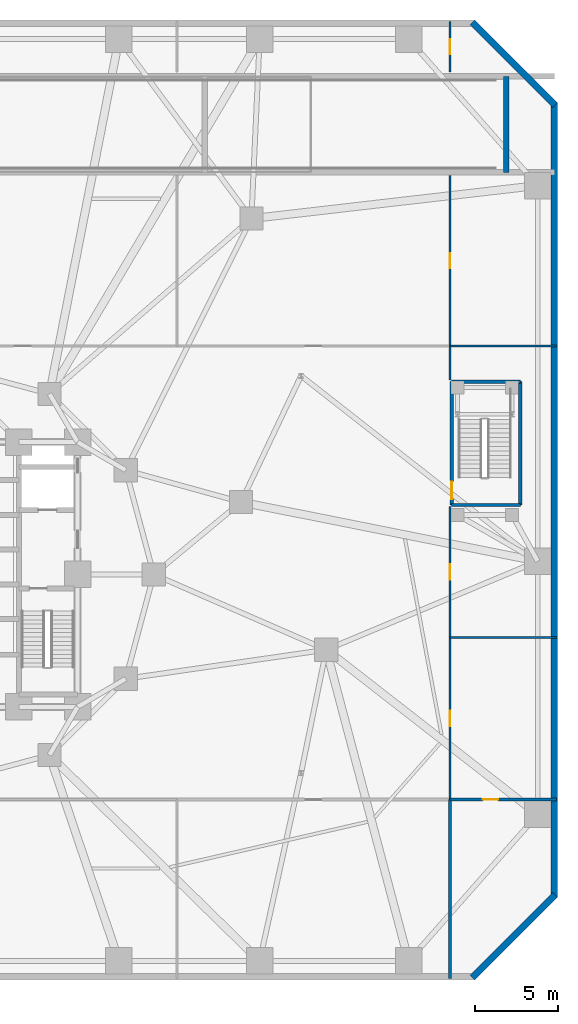
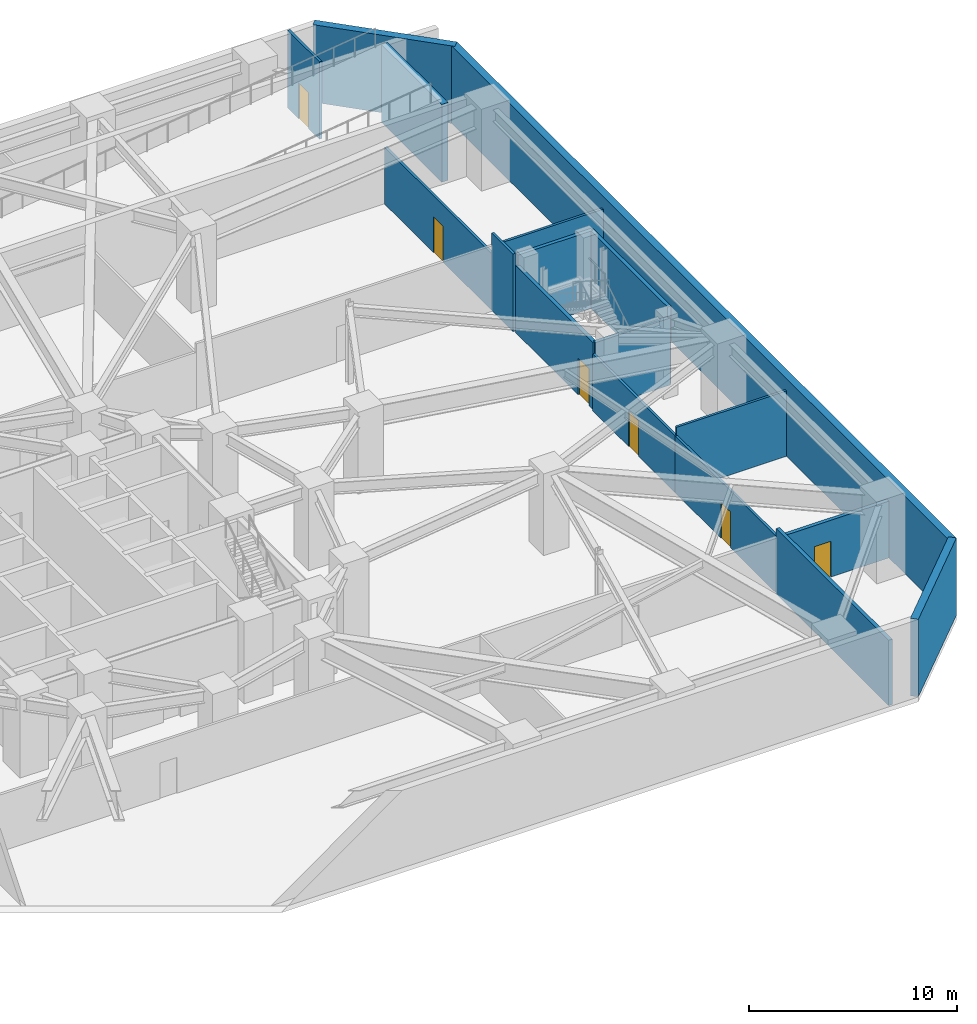
# One storey, part 14 of 18: 17 walls, 6 doors, 6 openings.
"""IFC4 building model written with IfcOpenShell, lengths in metres."""

from ifc_helpers import new_model, si_unit, direction, frame, frame_2d, origin, place, context, subcontext, project, spatial, rectangle, extrude, material, layer, layer_set, type_object, element, fill, save


model = new_model("IFC4")

# Units and contexts
model_context = context("Model", 3, precision=1e-05, world=origin(), true_north=direction((0.0, 1.0)))
body_context = subcontext(model_context, "Body", "Model", "MODEL_VIEW")
ifc_project = project(units=[si_unit("LENGTHUNIT", "METRE"), si_unit("AREAUNIT", "SQUARE_METRE"), si_unit("VOLUMEUNIT", "CUBIC_METRE"), si_unit("PLANEANGLEUNIT", "RADIAN"), si_unit("MASSUNIT", "GRAM", prefix="KILO")], contexts=[model_context])

# Site, building, storey
site_placement = place(None, origin())
site = spatial("IfcSite", under=ifc_project, at=site_placement, CompositionType="ELEMENT")
building_placement = place(site_placement, origin())
building = spatial("IfcBuilding", under=site, at=building_placement, Name="Terralouvre Media Tower", CompositionType="ELEMENT")
storey_placement = place(building_placement, frame((0.0, 0.0, -4.800048828125)))
storey = spatial("IfcBuildingStorey", under=building, at=storey_placement, Name="B01", CompositionType="ELEMENT", Elevation=-4.800048828125)

# Walls
ifc_material_1 = material(Name="Concrete C50/60", Category="concrete")
ifc_layer_1 = layer(ifc_material_1, 0.39990234375, Name="Basement Perimeter Retaining Wall EW-RC400")
ifc_layer_set_1 = layer_set([ifc_layer_1], Name="Concrete C50/60")
wall_type_1 = type_object("IfcWallType", Name="Basement Perimeter Retaining Wall EW-RC400", PredefinedType="USERDEFINED", material=ifc_layer_set_1)
wall_1_placement = place(storey_placement, frame((31.858642578125, -24.358642578125, 0.0), z_axis=(0.0, 0.0, 1.0), x_axis=(0.707106781187, 0.707106781187, 0.0)))
element("IfcWall", 1, at=wall_1_placement, inside=storey, type_object=wall_type_1, Name="B01 Perimeter Retaining Wall 02", ObjectType="RETAINING", PredefinedType="USERDEFINED", context=body_context, shape_type="SweptSolid", body=[
    extrude(rectangle(XDim=7.071044921875, YDim=0.39990234375, at=frame_2d((3.53564453125, 0.0))), origin(), (0.0, 0.0, 1.0), 4.550048828125),
])
wall_2_placement = place(storey_placement, frame((36.800048828125, -19.5, 0.0), z_axis=(0.0, 0.0, 1.0), x_axis=(0.0, 1.0, 0.0)))
element("IfcWall", 2, at=wall_2_placement, inside=storey, type_object=wall_type_1, Name="B01 Perimeter Retaining Wall 03", ObjectType="RETAINING", PredefinedType="USERDEFINED", context=body_context, shape_type="SweptSolid", body=[
    extrude(rectangle(XDim=48.0, YDim=0.39990234375, at=frame_2d((24.0, 0.0))), origin(), (0.0, 0.0, 1.0), 4.550048828125),
])
wall_3_placement = place(storey_placement, frame((36.858642578125, 28.358642578125, 0.0), z_axis=(0.0, 0.0, 1.0), x_axis=(-0.707106781187, 0.707106781187, 0.0)))
element("IfcWall", 3, at=wall_3_placement, inside=storey, type_object=wall_type_1, Name="B01 Perimeter Retaining Wall 04", ObjectType="RETAINING", PredefinedType="USERDEFINED", context=body_context, shape_type="SweptSolid", body=[
    extrude(rectangle(XDim=7.071044921875, YDim=0.39990234375, at=frame_2d((3.53564453125, 0.0))), origin(), (0.0, 0.0, 1.0), 4.550048828125),
])
ifc_material_2 = material(Name="Fire-rated gypsum board drywall partition")
ifc_layer_2 = layer(ifc_material_2, 0.199951171875, Name="Fire-Rated Shaft and Lobby Partition FW-200")
ifc_layer_set_2 = layer_set([ifc_layer_2], Name="Fire-rated gypsum board drywall partition")
wall_type_2 = type_object("IfcWallType", Name="Fire-Rated Shaft and Lobby Partition FW-200", PredefinedType="SOLIDWALL", material=ifc_layer_set_2)
wall_4_placement = place(storey_placement, frame((30.60009765625, 4.199951171875, 0.0), z_axis=(0.0, 0.0, 1.0), x_axis=(1.0, 0.0, 0.0)))
element("IfcWall", 4, at=wall_4_placement, inside=storey, type_object=wall_type_2, Name="B01 ST04 Stair Shaft Wall S", PredefinedType="SOLIDWALL", context=body_context, shape_type="SweptSolid", body=[
    extrude(rectangle(XDim=4.14990234375, YDim=0.199951171875, at=frame_2d((2.074951171875, 0.0))), origin(), (0.0, 0.0, 1.0), 3.93505859375),
])
wall_5_placement = place(storey_placement, frame((34.75, 4.199951171875, 0.0), z_axis=(0.0, 0.0, 1.0), x_axis=(0.0, 1.0, 0.0)))
element("IfcWall", 5, at=wall_5_placement, inside=storey, type_object=wall_type_2, Name="B01 ST04 Stair Shaft Wall E", PredefinedType="SOLIDWALL", context=body_context, shape_type="SweptSolid", body=[
    extrude(rectangle(XDim=7.449951171875, YDim=0.199951171875, at=frame_2d((3.72509765625, 0.0))), origin(), (0.0, 0.0, 1.0), 4.550048828125),
])
wall_6_placement = place(storey_placement, frame((34.75, 11.64990234375, 0.0), z_axis=(0.0, 0.0, 1.0), x_axis=(-1.0, 0.0, 0.0)))
element("IfcWall", 6, at=wall_6_placement, inside=storey, type_object=wall_type_2, Name="B01 ST04 Stair Shaft Wall N", PredefinedType="SOLIDWALL", context=body_context, shape_type="SweptSolid", body=[
    extrude(rectangle(XDim=4.14990234375, YDim=0.199951171875, at=frame_2d((2.074951171875, 0.0))), origin(), (0.0, 0.0, 1.0), 4.550048828125),
])

# Wall, opening, door
wall_7_placement = place(storey_placement, frame((30.60009765625, 11.64990234375, 0.0), z_axis=(0.0, 0.0, 1.0), x_axis=(0.0, -1.0, 0.0)))
wall_7 = element("IfcWall", 7, at=wall_7_placement, inside=storey, type_object=wall_type_2, Name="B01 ST04 Stair Shaft Wall W", PredefinedType="SOLIDWALL", context=body_context, shape_type="SweptSolid", body=[
    extrude(rectangle(XDim=7.449951171875, YDim=0.199951171875, at=frame_2d((3.72509765625, 0.0))), origin(), (0.0, 0.0, 1.0), 3.93505859375),
])
opening_1_placement = place(wall_7_placement, frame((6.0400390625, 0.0, 0.0)))
opening_1 = element("IfcOpeningElement", 8, at=opening_1_placement, cuts=wall_7, Name="Opening FD-01-105X215", PredefinedType="OPENING", context=body_context, shape_type="SweptSolid", body=[
    extrude(rectangle(XDim=1.050048828125, YDim=2.14990234375, at=frame_2d((0.52490234375, 1.074951171875))), frame((0.0, 0.10986328125, 0.0), z_axis=(0.0, -1.0, 0.0), x_axis=(1.0, 0.0, 0.0)), (0.0, 0.0, 1.0), 0.219970703125),
])
ifc_material_3 = material(Name="Galvanised steel fire-resisting leaf", Category="steel")
door_type_1 = type_object("IfcDoorType", Name="Stair and Firefighting Lobby Fire Door FD-01 (1050x2150)", OperationType="NOTDEFINED", PredefinedType="DOOR", material=ifc_material_3)
door_1_placement = place(opening_1_placement, origin())
door_1 = element("IfcDoor", 9, at=door_1_placement, inside=storey, type_object=door_type_1, Name="B01 ST04 Pressurised Stair Door", OperationType="SINGLE_SWING_LEFT", OverallHeight=2.14990234375, OverallWidth=1.050048828125, PredefinedType="DOOR", context=body_context, shape_type="SweptSolid", body=[
    extrude(rectangle(XDim=1.050048828125, YDim=2.14990234375, at=frame_2d((0.52490234375, 1.074951171875))), frame((0.0, 0.02490234375, 0.0), z_axis=(0.0, -1.0, 0.0), x_axis=(1.0, 0.0, 0.0)), (0.0, 0.0, 1.0), 0.050048828125),
])
fill(opening_1, door_1)

# Wall
wall_8_placement = place(storey_placement, frame((30.5, -24.419921875, 0.0), z_axis=(0.0, 0.0, 1.0), x_axis=(0.0, 1.0, 0.0)))
element("IfcWall", 10, at=wall_8_placement, inside=storey, type_object=wall_type_2, Name="B01 Interior Partition 019", PredefinedType="SOLIDWALL", context=body_context, shape_type="SweptSolid", body=[
    extrude(rectangle(XDim=10.81982421875, YDim=0.199951171875, at=frame_2d((5.409912109375, 0.0))), origin(), (0.0, 0.0, 1.0), 3.8349609375),
])

# Wall, opening, door
wall_9_placement = place(storey_placement, frame((36.919921875, -13.60009765625, 0.0), z_axis=(0.0, 0.0, 1.0), x_axis=(-1.0, 0.0, 0.0)))
wall_9 = element("IfcWall", 11, at=wall_9_placement, inside=storey, type_object=wall_type_2, Name="B01 Interior Partition 020", PredefinedType="SOLIDWALL", context=body_context, shape_type="SweptSolid", body=[
    extrude(rectangle(XDim=6.419921875, YDim=0.199951171875, at=frame_2d((3.2099609375, 0.0))), origin(), (0.0, 0.0, 1.0), 3.3349609375),
])
opening_2_placement = place(wall_9_placement, frame((3.5205078125, 0.0, 0.0)))
opening_2 = element("IfcOpeningElement", 12, at=opening_2_placement, cuts=wall_9, Name="Opening FD-05-92X210", PredefinedType="OPENING", context=body_context, shape_type="SweptSolid", body=[
    extrude(rectangle(XDim=0.919921875, YDim=2.10009765625, at=frame_2d((0.4599609375, 1.050048828125))), frame((0.0, 0.10986328125, 0.0), z_axis=(0.0, -1.0, 0.0), x_axis=(1.0, 0.0, 0.0)), (0.0, 0.0, 1.0), 0.219970703125),
])
ifc_material_4 = material(Name="Galvanised steel fire-resisting leaf", Category="steel")
door_type_2 = type_object("IfcDoorType", Name="Core Accessible Closet Fire Door FD-05 (920x2100)", OperationType="NOTDEFINED", PredefinedType="DOOR", material=ifc_material_4)
door_2_placement = place(opening_2_placement, origin())
door_2 = element("IfcDoor", 13, at=door_2_placement, inside=storey, type_object=door_type_2, Name="B01 B01 Emergency Generator Plant Room Door", OperationType="SINGLE_SWING_RIGHT", OverallHeight=2.10009765625, OverallWidth=0.919921875, PredefinedType="DOOR", context=body_context, shape_type="SweptSolid", body=[
    extrude(rectangle(XDim=0.919921875, YDim=2.10009765625, at=frame_2d((0.4599609375, 1.050048828125))), frame((0.0, 0.02490234375, 0.0), z_axis=(0.0, -1.0, 0.0), x_axis=(1.0, 0.0, 0.0)), (0.0, 0.0, 1.0), 0.050048828125),
])
fill(opening_2, door_2)

ifc_material_5 = material(Name="Fire-rated gypsum board drywall partition")
ifc_layer_3 = layer(ifc_material_5, 0.135009765625, Name="Newsroom Acoustic Partition PT-135")
ifc_layer_set_3 = layer_set([ifc_layer_3], Name="Fire-rated gypsum board drywall partition")
wall_type_3 = type_object("IfcWallType", Name="Newsroom Acoustic Partition PT-135", PredefinedType="PARTITIONING", material=ifc_layer_set_3)
wall_10_placement = place(storey_placement, frame((30.5, -13.60009765625, 0.0), z_axis=(0.0, 0.0, 1.0), x_axis=(0.0, 1.0, 0.0)))
wall_10 = element("IfcWall", 14, at=wall_10_placement, inside=storey, type_object=wall_type_3, Name="B01 Interior Partition 005", PredefinedType="PARTITIONING", context=body_context, shape_type="SweptSolid", body=[
    extrude(rectangle(XDim=9.800048828125, YDim=0.135009765625, at=frame_2d((4.89990234375, 0.0))), origin(), (0.0, 0.0, 1.0), 3.3349609375),
])
opening_3_placement = place(wall_10_placement, frame((4.425048828125, 0.0, 0.0)))
opening_3 = element("IfcOpeningElement", 15, at=opening_3_placement, cuts=wall_10, Name="Opening ID-02-95X210", PredefinedType="OPENING", context=body_context, shape_type="SweptSolid", body=[
    extrude(rectangle(XDim=0.949951171875, YDim=2.10009765625, at=frame_2d((0.47509765625, 1.050048828125))), frame((0.0, 0.077392578125, 0.0), z_axis=(0.0, -1.0, 0.0), x_axis=(1.0, 0.0, 0.0)), (0.0, 0.0, 1.0), 0.155029296875),
])
ifc_material_6 = material(Name="Engineered hardwood acoustic timber leaf", Category="wood")
door_type_3 = type_object("IfcDoorType", Name="Office and Meeting Room Door ID-02 (950x2100)", OperationType="NOTDEFINED", PredefinedType="DOOR", material=ifc_material_6)
door_3_placement = place(opening_3_placement, origin())
door_3 = element("IfcDoor", 16, at=door_3_placement, inside=storey, type_object=door_type_3, Name="B01 B01 Basement Technical Equipment Store 7 Door", OperationType="SINGLE_SWING_RIGHT", OverallHeight=2.10009765625, OverallWidth=0.949951171875, PredefinedType="DOOR", context=body_context, shape_type="SweptSolid", body=[
    extrude(rectangle(XDim=0.949951171875, YDim=2.10009765625, at=frame_2d((0.47509765625, 1.050048828125))), frame((0.0, 0.02490234375, 0.0), z_axis=(0.0, -1.0, 0.0), x_axis=(1.0, 0.0, 0.0)), (0.0, 0.0, 1.0), 0.050048828125),
])
fill(opening_3, door_3)

wall_11_placement = place(storey_placement, frame((30.5, -3.800048828125, 0.0), z_axis=(0.0, 0.0, 1.0), x_axis=(0.0, 1.0, 0.0)))
wall_11 = element("IfcWall", 17, at=wall_11_placement, inside=storey, type_object=wall_type_3, Name="B01 Interior Partition 006", PredefinedType="PARTITIONING", context=body_context, shape_type="SweptSolid", body=[
    extrude(rectangle(XDim=7.900146484375, YDim=0.135009765625, at=frame_2d((3.9501953125, 0.0))), origin(), (0.0, 0.0, 1.0), 3.3349609375),
])
opening_4_placement = place(wall_11_placement, frame((3.47509765625, 0.0, 0.0)))
opening_4 = element("IfcOpeningElement", 18, at=opening_4_placement, cuts=wall_11, Name="Opening ID-02-95X210", PredefinedType="OPENING", context=body_context, shape_type="SweptSolid", body=[
    extrude(rectangle(XDim=0.949951171875, YDim=2.10009765625, at=frame_2d((0.47509765625, 1.050048828125))), frame((0.0, 0.077392578125, 0.0), z_axis=(0.0, -1.0, 0.0), x_axis=(1.0, 0.0, 0.0)), (0.0, 0.0, 1.0), 0.155029296875),
])
door_4_placement = place(opening_4_placement, origin())
door_4 = element("IfcDoor", 19, at=door_4_placement, inside=storey, type_object=door_type_3, Name="B01 B01 Basement Technical Equipment Store 8 Door", OperationType="SINGLE_SWING_LEFT", OverallHeight=2.10009765625, OverallWidth=0.949951171875, PredefinedType="DOOR", context=body_context, shape_type="SweptSolid", body=[
    extrude(rectangle(XDim=0.949951171875, YDim=2.10009765625, at=frame_2d((0.47509765625, 1.050048828125))), frame((0.0, 0.02490234375, 0.0), z_axis=(0.0, -1.0, 0.0), x_axis=(1.0, 0.0, 0.0)), (0.0, 0.0, 1.0), 0.050048828125),
])
fill(opening_4, door_4)

# Walls
wall_12_placement = place(storey_placement, frame((30.5, 11.75, 0.0), z_axis=(0.0, 0.0, 1.0), x_axis=(0.0, 1.0, 0.0)))
element("IfcWall", 20, at=wall_12_placement, inside=storey, type_object=wall_type_3, Name="B01 Interior Partition 007", PredefinedType="PARTITIONING", context=body_context, shape_type="SweptSolid", body=[
    extrude(rectangle(XDim=2.050048828125, YDim=0.135009765625, at=frame_2d((1.02490234375, 0.0))), origin(), (0.0, 0.0, 1.0), 4.550048828125),
])
for number, where, z_axis, x_axis, name in (
    (21, (36.919921875, -3.800048828125, 0.0), (0.0, 0.0, 1.0), (-1.0, 0.0, 0.0), "B01 Interior Partition 021"),
    (22, (36.919921875, 13.800048828125, 0.0), (0.0, 0.0, 1.0), (-1.0, 0.0, 0.0), "B01 Interior Partition 022"),
):
    element("IfcWall", number, at=place(storey_placement, frame(where, z_axis=z_axis, x_axis=x_axis)), inside=storey, type_object=wall_type_3, Name=name, PredefinedType="PARTITIONING", context=body_context, shape_type="SweptSolid", body=[
        extrude(rectangle(XDim=6.419921875, YDim=0.135009765625, at=frame_2d((3.2099609375, 0.0))), origin(), (0.0, 0.0, 1.0), 3.8349609375),
    ])

# Wall, opening, door
wall_13_placement = place(storey_placement, frame((30.5, 24.10009765625, 0.0), z_axis=(0.0, 0.0, 1.0), x_axis=(0.0, -1.0, 0.0)))
wall_13 = element("IfcWall", 23, at=wall_13_placement, inside=storey, type_object=wall_type_3, Name="B01 Interior Partition 023", PredefinedType="PARTITIONING", context=body_context, shape_type="SweptSolid", body=[
    extrude(rectangle(XDim=10.300048828125, YDim=0.135009765625, at=frame_2d((5.14990234375, 0.0))), origin(), (0.0, 0.0, 1.0), 3.3349609375),
])
opening_5_placement = place(wall_13_placement, frame((4.68994140625, 0.0, 0.0)))
opening_5 = element("IfcOpeningElement", 24, at=opening_5_placement, cuts=wall_13, Name="Opening ID-03-92X210", PredefinedType="OPENING", context=body_context, shape_type="SweptSolid", body=[
    extrude(rectangle(XDim=0.919921875, YDim=2.10009765625, at=frame_2d((0.4599609375, 1.050048828125))), frame((0.0, 0.077392578125, 0.0), z_axis=(0.0, -1.0, 0.0), x_axis=(1.0, 0.0, 0.0)), (0.0, 0.0, 1.0), 0.155029296875),
])
ifc_material_7 = material(Name="Engineered hardwood acoustic timber leaf", Category="wood")
door_type_4 = type_object("IfcDoorType", Name="Accessible Restroom and Suite Door ID-03 (920x2100)", OperationType="NOTDEFINED", PredefinedType="DOOR", material=ifc_material_7)
door_5_placement = place(opening_5_placement, origin())
door_5 = element("IfcDoor", 25, at=door_5_placement, inside=storey, type_object=door_type_4, Name="B01 B01 Segregated Refuse and Recycling Store Door", OperationType="SINGLE_SWING_LEFT", OverallHeight=2.10009765625, OverallWidth=0.919921875, PredefinedType="DOOR", context=body_context, shape_type="SweptSolid", body=[
    extrude(rectangle(XDim=0.919921875, YDim=2.10009765625, at=frame_2d((0.4599609375, 1.050048828125))), frame((0.0, 0.02490234375, 0.0), z_axis=(0.0, -1.0, 0.0), x_axis=(1.0, 0.0, 0.0)), (0.0, 0.0, 1.0), 0.050048828125),
])
fill(opening_5, door_5)

wall_14_placement = place(storey_placement, frame((30.5, 33.419921875, 0.0), z_axis=(0.0, 0.0, 1.0), x_axis=(0.0, -1.0, 0.0)))
wall_14 = element("IfcWall", 26, at=wall_14_placement, inside=storey, type_object=wall_type_3, Name="B01 Interior Partition 024", PredefinedType="PARTITIONING", context=body_context, shape_type="SweptSolid", body=[
    extrude(rectangle(XDim=3.06982421875, YDim=0.135009765625, at=frame_2d((1.534912109375, 0.0))), origin(), (0.0, 0.0, 1.0), 4.550048828125),
])
opening_6_placement = place(wall_14_placement, frame((1.074951171875, 0.0, 0.0)))
opening_6 = element("IfcOpeningElement", 27, at=opening_6_placement, cuts=wall_14, Name="Opening ID-03-92X210", PredefinedType="OPENING", context=body_context, shape_type="SweptSolid", body=[
    extrude(rectangle(XDim=0.919921875, YDim=2.10009765625, at=frame_2d((0.4599609375, 1.050048828125))), frame((0.0, 0.077392578125, 0.0), z_axis=(0.0, -1.0, 0.0), x_axis=(1.0, 0.0, 0.0)), (0.0, 0.0, 1.0), 0.155029296875),
])
door_6_placement = place(opening_6_placement, origin())
door_6 = element("IfcDoor", 28, at=door_6_placement, inside=storey, type_object=door_type_4, Name="B01 B01 Segregated Refuse and Recycling Store Door", OperationType="SINGLE_SWING_RIGHT", OverallHeight=2.10009765625, OverallWidth=0.919921875, PredefinedType="DOOR", context=body_context, shape_type="SweptSolid", body=[
    extrude(rectangle(XDim=0.919921875, YDim=2.10009765625, at=frame_2d((0.4599609375, 1.050048828125))), frame((0.0, 0.02490234375, 0.0), z_axis=(0.0, -1.0, 0.0), x_axis=(1.0, 0.0, 0.0)), (0.0, 0.0, 1.0), 0.050048828125),
])
fill(opening_6, door_6)

# Wall
ifc_material_8 = material(Name="Concrete C50/60", Category="concrete")
ifc_layer_4 = layer(ifc_material_8, 0.35009765625, Name="Ramp Support Shear Wall RW-350")
ifc_layer_set_4 = layer_set([ifc_layer_4], Name="Concrete C50/60")
wall_type_4 = type_object("IfcWallType", Name="Ramp Support Shear Wall RW-350", PredefinedType="SHEAR", material=ifc_layer_set_4)
wall_15_placement = place(storey_placement, frame((33.89990234375, 24.300048828125, 0.0), z_axis=(0.0, 0.0, 1.0), x_axis=(0.0, 1.0, 0.0)))
element("IfcWall", 29, at=wall_15_placement, inside=storey, type_object=wall_type_4, Name="B01 Vehicle Ramp Arrival Header Support Wall", PredefinedType="SHEAR", context=body_context, shape_type="SweptSolid", body=[
    extrude(rectangle(XDim=5.800048828125, YDim=0.35009765625, at=frame_2d((2.89990234375, 0.0))), origin(), (0.0, 0.0, 1.0), 4.570068359375),
])

save(model, "model.ifc")
